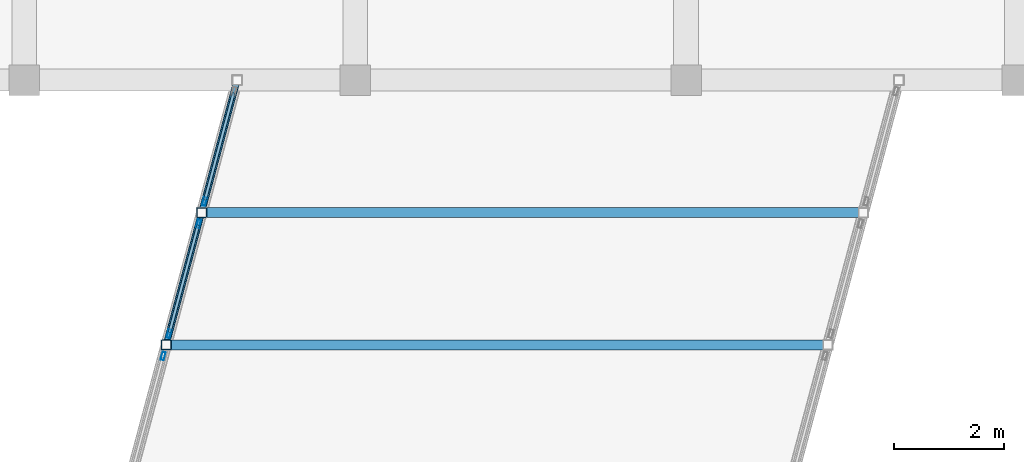
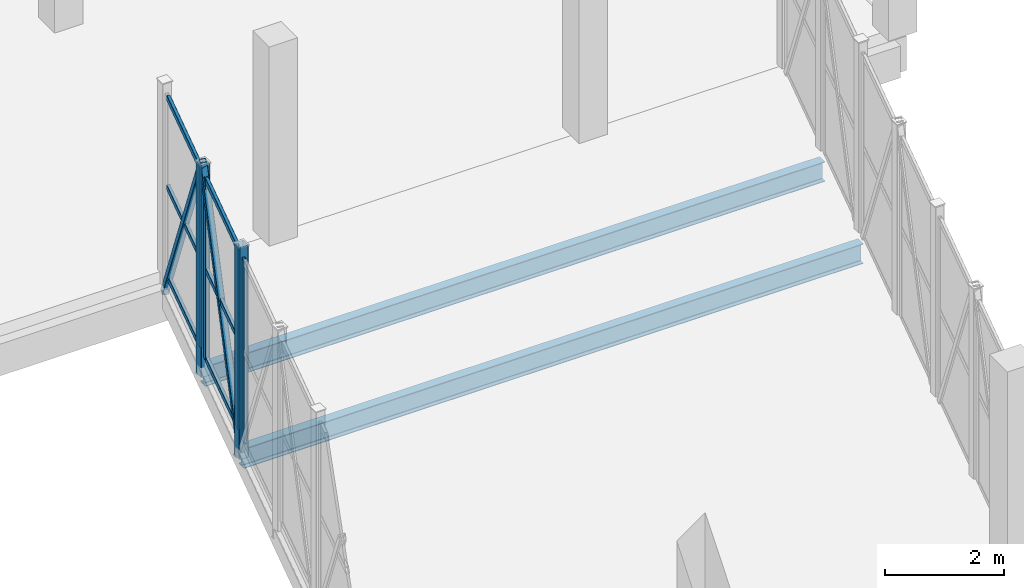
# One storey, part 88 of 127: 14 members, 2 beams, 3 elements without a shape of their own.
"""IFC4 building model written with IfcOpenShell, lengths in metres."""

from ifc_helpers import new_model, si_unit, direction, frame, origin, origin_2d, place, context, subcontext, project, spatial, hollow_rectangle, i_section, extrude, material, layer, layer_set, material_profile, profile_set, type_object, element, aggregate, save


model = new_model("IFC4")

# Units and contexts
model_context = context("Model", 3, precision=1e-05, world=origin(), true_north=direction((0.0, 1.0)))
body_context = subcontext(model_context, "Body", "Model", "MODEL_VIEW")
ifc_project = project(units=[si_unit("LENGTHUNIT", "METRE"), si_unit("AREAUNIT", "SQUARE_METRE"), si_unit("VOLUMEUNIT", "CUBIC_METRE"), si_unit("PLANEANGLEUNIT", "RADIAN"), si_unit("MASSUNIT", "GRAM", prefix="KILO")], contexts=[model_context])

# Site, building, storey
site_placement = place(None, origin())
site = spatial("IfcSite", under=ifc_project, at=site_placement, CompositionType="ELEMENT")
building_placement = place(site_placement, origin())
building = spatial("IfcBuilding", under=site, at=building_placement, Name="Dunvalen Ferry Terminal", CompositionType="ELEMENT")
storey_placement = place(building_placement, frame((0.0, 0.0, 5.760009765625)))
storey = spatial("IfcBuildingStorey", under=building, at=storey_placement, Name="L01", CompositionType="ELEMENT", Elevation=5.760009765625)

# Curtain wall, member
ifc_material_1 = material(Name="Anodised marine aluminium and solar-control glazing", Category="aluminium")
ifc_layer = layer(ifc_material_1, 0.159912109375, Name="Anodised marine aluminium and solar-control glazing")
ifc_layer_set = layer_set([ifc_layer], Name="Anodised marine aluminium and solar-control glazing")
curtain_wall_type = type_object("IfcCurtainWallType", Name="ENV-CW-SYS-07", PredefinedType="NOTDEFINED", material=ifc_layer_set)
curtain_wall_1_placement = place(storey_placement, origin())
curtain_wall_1 = element("IfcCurtainWall", 1, at=curtain_wall_1_placement, inside=storey, type_object=curtain_wall_type, Name="L01 Curtain Wall CW-BRG2-S1-4", PredefinedType="NOTDEFINED")
ifc_material_2 = material(Name="Anodised marine aluminium EN AW-6063 T6", Category="aluminium")
ifc_material_profile_1 = material_profile(ifc_material_2, hollow_rectangle(XDim=0.06005859375, YDim=0.14990234375, WallThickness=0.00341796875, InnerFilletRadius=0.00341796875, OuterFilletRadius=0.007080078125, at=origin_2d()), Name="Anodised marine aluminium EN AW-6063 T6")
ifc_profile_set_1 = profile_set([ifc_material_profile_1], Name="Anodised marine aluminium EN AW-6063 T6")
member_type_1 = type_object("IfcMemberType", Name="ENV-CW-MUL-3", PredefinedType="MULLION", material=ifc_profile_set_1)
member_1_placement = place(storey_placement, frame((128.518310546875, 95.79833984375, 0.0), z_axis=(0.0, 0.0, 1.0), x_axis=(-0.965934620531, 0.258786222315, 0.0)))
member_1 = element("IfcMember", 2, at=member_1_placement, type_object=member_type_1, Name="CW-07 mullion 2", PredefinedType="MULLION", context=body_context, shape_type="SweptSolid", body=[
    extrude(hollow_rectangle(XDim=0.06005859375, YDim=0.14990234375, WallThickness=0.00341796875, InnerFilletRadius=0.00341796875, OuterFilletRadius=0.007080078125, at=origin_2d()), origin(), (0.0, 0.0, 1.0), 3.719970703125),
])
aggregate(curtain_wall_1, [member_1])

# Curtain wall, members
curtain_wall_2_placement = place(storey_placement, origin())
curtain_wall_2 = element("IfcCurtainWall", 3, at=curtain_wall_2_placement, inside=storey, type_object=curtain_wall_type, Name="L01 Curtain Wall CW-BRG2-S1-5", PredefinedType="NOTDEFINED")
member_2_placement = place(storey_placement, frame((128.62646484375, 96.20166015625, 0.0), z_axis=(0.0, 0.0, 1.0), x_axis=(-0.9659228666, 0.258830090561, 0.0)))
member_2 = element("IfcMember", 4, at=member_2_placement, type_object=member_type_1, Name="CW-07 mullion 1", PredefinedType="MULLION", context=body_context, shape_type="SweptSolid", body=[
    extrude(hollow_rectangle(XDim=0.06005859375, YDim=0.14990234375, WallThickness=0.00341796875, InnerFilletRadius=0.00341796875, OuterFilletRadius=0.007080078125, at=origin_2d()), origin(), (0.0, 0.0, 1.0), 3.719970703125),
])
member_3_placement = place(storey_placement, frame((129.161376953125, 98.1982421875, 0.0), z_axis=(0.0, 0.0, 1.0), x_axis=(-0.9659228666, 0.258830090561, 0.0)))
member_3 = element("IfcMember", 5, at=member_3_placement, type_object=member_type_1, Name="CW-07 mullion 2", PredefinedType="MULLION", context=body_context, shape_type="SweptSolid", body=[
    extrude(hollow_rectangle(XDim=0.06005859375, YDim=0.14990234375, WallThickness=0.00341796875, InnerFilletRadius=0.00341796875, OuterFilletRadius=0.007080078125, at=origin_2d()), origin(), (0.0, 0.0, 1.0), 3.719970703125),
])

# Curtain wall, member
curtain_wall_3_placement = place(storey_placement, origin())
curtain_wall_3 = element("IfcCurtainWall", 6, at=curtain_wall_3_placement, inside=storey, type_object=curtain_wall_type, Name="L01 Curtain Wall CW-BRG2-S1-6", PredefinedType="NOTDEFINED")
member_4_placement = place(storey_placement, frame((129.26953125, 98.601806640625, 0.0), z_axis=(0.0, 0.0, 1.0), x_axis=(-0.9659228666, 0.258830090561, 0.0)))
member_4 = element("IfcMember", 7, at=member_4_placement, type_object=member_type_1, Name="CW-07 mullion 1", PredefinedType="MULLION", context=body_context, shape_type="SweptSolid", body=[
    extrude(hollow_rectangle(XDim=0.06005859375, YDim=0.14990234375, WallThickness=0.00341796875, InnerFilletRadius=0.00341796875, OuterFilletRadius=0.007080078125, at=origin_2d()), origin(), (0.0, 0.0, 1.0), 3.719970703125),
])

# Member
ifc_material_profile_2 = material_profile(ifc_material_2, hollow_rectangle(XDim=0.06005859375, YDim=0.114990234375, WallThickness=0.0029296875, InnerFilletRadius=0.0029296875, OuterFilletRadius=0.006103515625, at=origin_2d()), Name="Anodised marine aluminium EN AW-6063 T6")
ifc_profile_set_2 = profile_set([ifc_material_profile_2], Name="Anodised marine aluminium EN AW-6063 T6")
member_type_2 = type_object("IfcMemberType", Name="ENV-CW-TRN-3", PredefinedType="USERDEFINED", material=ifc_profile_set_2)
member_5_placement = place(storey_placement, frame((128.634033203125, 96.230712890625, 0.030029296875), z_axis=(0.258873913014, 0.965911122806, 0.0), x_axis=(-0.965911122806, 0.258873913014, 0.0)))
member_5 = element("IfcMember", 8, at=member_5_placement, type_object=member_type_2, Name="CW-07 transom 1.1", ObjectType="TRANSOM", PredefinedType="USERDEFINED", context=body_context, shape_type="SweptSolid", body=[
    extrude(hollow_rectangle(XDim=0.06005859375, YDim=0.114990234375, WallThickness=0.0029296875, InnerFilletRadius=0.0029296875, OuterFilletRadius=0.006103515625, at=origin_2d()), origin(), (0.0, 0.0, 1.0), 2.0068359375),
])

member_6_placement = place(storey_placement, frame((128.634033203125, 96.230712890625, 1.860107421875), z_axis=(0.258873913014, 0.965911122806, 0.0), x_axis=(-0.965911122806, 0.258873913014, 0.0)))
member_6 = element("IfcMember", 9, at=member_6_placement, type_object=member_type_2, Name="CW-07 transom 1.2", ObjectType="TRANSOM", PredefinedType="USERDEFINED", context=body_context, shape_type="SweptSolid", body=[
    extrude(hollow_rectangle(XDim=0.06005859375, YDim=0.114990234375, WallThickness=0.0029296875, InnerFilletRadius=0.0029296875, OuterFilletRadius=0.006103515625, at=origin_2d()), origin(), (0.0, 0.0, 1.0), 2.0068359375),
])

member_7_placement = place(storey_placement, frame((128.634033203125, 96.230712890625, 3.68994140625), z_axis=(0.258873913014, 0.965911122806, 0.0), x_axis=(-0.965911122806, 0.258873913014, 0.0)))
member_7 = element("IfcMember", 10, at=member_7_placement, type_object=member_type_2, Name="CW-07 transom 1.3", ObjectType="TRANSOM", PredefinedType="USERDEFINED", context=body_context, shape_type="SweptSolid", body=[
    extrude(hollow_rectangle(XDim=0.06005859375, YDim=0.114990234375, WallThickness=0.0029296875, InnerFilletRadius=0.0029296875, OuterFilletRadius=0.006103515625, at=origin_2d()), origin(), (0.0, 0.0, 1.0), 2.0068359375),
])

aggregate(curtain_wall_2, [member_2, member_3, member_5, member_6, member_7])

member_8_placement = place(storey_placement, frame((129.27734375, 98.630859375, 0.030029296875), z_axis=(0.258760408924, 0.965941535898, 0.0), x_axis=(-0.965941535898, 0.258760408924, 0.0)))
member_8 = element("IfcMember", 11, at=member_8_placement, type_object=member_type_2, Name="CW-07 transom 1.1", ObjectType="TRANSOM", PredefinedType="USERDEFINED", context=body_context, shape_type="SweptSolid", body=[
    extrude(hollow_rectangle(XDim=0.06005859375, YDim=0.114990234375, WallThickness=0.0029296875, InnerFilletRadius=0.0029296875, OuterFilletRadius=0.006103515625, at=origin_2d()), origin(), (0.0, 0.0, 1.0), 2.0068359375),
])

member_9_placement = place(storey_placement, frame((129.27734375, 98.630859375, 1.860107421875), z_axis=(0.258760408924, 0.965941535898, 0.0), x_axis=(-0.965941535898, 0.258760408924, 0.0)))
member_9 = element("IfcMember", 12, at=member_9_placement, type_object=member_type_2, Name="CW-07 transom 1.2", ObjectType="TRANSOM", PredefinedType="USERDEFINED", context=body_context, shape_type="SweptSolid", body=[
    extrude(hollow_rectangle(XDim=0.06005859375, YDim=0.114990234375, WallThickness=0.0029296875, InnerFilletRadius=0.0029296875, OuterFilletRadius=0.006103515625, at=origin_2d()), origin(), (0.0, 0.0, 1.0), 2.0068359375),
])

member_10_placement = place(storey_placement, frame((129.27734375, 98.630859375, 3.68994140625), z_axis=(0.258760408924, 0.965941535898, 0.0), x_axis=(-0.965941535898, 0.258760408924, 0.0)))
member_10 = element("IfcMember", 13, at=member_10_placement, type_object=member_type_2, Name="CW-07 transom 1.3", ObjectType="TRANSOM", PredefinedType="USERDEFINED", context=body_context, shape_type="SweptSolid", body=[
    extrude(hollow_rectangle(XDim=0.06005859375, YDim=0.114990234375, WallThickness=0.0029296875, InnerFilletRadius=0.0029296875, OuterFilletRadius=0.006103515625, at=origin_2d()), origin(), (0.0, 0.0, 1.0), 2.0068359375),
])

aggregate(curtain_wall_3, [member_4, member_8, member_9, member_10])

# Beams
ifc_material_3 = material(Name="Steel S355", Category="steel")
ifc_material_profile_3 = material_profile(ifc_material_3, i_section(OverallWidth=0.177978515625, OverallDepth=0.406494140625, WebThickness=0.0078125, FlangeThickness=0.0126953125, FilletRadius=0.01025390625, at=origin_2d()), Name="Steel S355")
ifc_profile_set_3 = profile_set([ifc_material_profile_3], Name="Steel S355")
beam_type = type_object("IfcBeamType", Name="STR-BM-UKB406", PredefinedType="JOIST", material=ifc_profile_set_3)
for number, where, z_axis, x_axis, name in (
    (14, (128.572265625, 96.0, -0.449951171875), (1.0, 0.0, 0.0), (0.0, 1.0, 0.0), "Boarding Bridge 2 Floor Crossbeam 4"),
    (15, (129.21533203125, 98.39990234375, -0.449951171875), (1.0, 0.0, 0.0), (0.0, 1.0, 0.0), "Boarding Bridge 2 Floor Crossbeam 5"),
):
    element("IfcBeam", number, at=place(storey_placement, frame(where, z_axis=z_axis, x_axis=x_axis)), inside=storey, type_object=beam_type, Name=name, PredefinedType="JOIST", context=body_context, shape_type="SweptSolid", body=[
        extrude(i_section(OverallWidth=0.177978515625, OverallDepth=0.406494140625, WebThickness=0.0078125, FlangeThickness=0.0126953125, FilletRadius=0.01025390625, at=origin_2d()), origin(), (0.0, 0.0, 1.0), 12.0),
    ])

# Members
ifc_material_profile_4 = material_profile(ifc_material_3, hollow_rectangle(XDim=0.1201171875, YDim=0.1201171875, WallThickness=0.00634765625, InnerFilletRadius=0.00634765625, OuterFilletRadius=0.0126953125, at=origin_2d()), Name="Steel S355")
ifc_profile_set_4 = profile_set([ifc_material_profile_4], Name="Steel S355")
member_type_3 = type_object("IfcMemberType", Name="STR-MB-SHS120", PredefinedType="BRACE", material=ifc_profile_set_4)
for number, where, z_axis, x_axis, name in (
    (16, (128.572265625, 96.0, -0.43994140625), (0.128594483559, 0.479910316395, 0.867841890563), (-0.965924366126, 0.258824494443, 0.0), "Boarding Bridge 2 Warren Diagonal 1.5"),
    (17, (129.21533203125, 98.39990234375, 3.89990234375), (0.128591470582, 0.47994789191, -0.867821556972), (-0.965930947833, 0.258799930484, 0.0), "Boarding Bridge 2 Warren Diagonal 1.6"),
):
    element("IfcMember", number, at=place(storey_placement, frame(where, z_axis=z_axis, x_axis=x_axis)), inside=storey, type_object=member_type_3, Name=name, PredefinedType="BRACE", context=body_context, shape_type="SweptSolid", body=[
        extrude(hollow_rectangle(XDim=0.1201171875, YDim=0.1201171875, WallThickness=0.00634765625, InnerFilletRadius=0.00634765625, OuterFilletRadius=0.0126953125, at=origin_2d()), origin(), (0.0, 0.0, 1.0), 5.000732421875),
    ])
ifc_material_profile_5 = material_profile(ifc_material_3, hollow_rectangle(XDim=0.179931640625, YDim=0.179931640625, WallThickness=0.008056640625, InnerFilletRadius=0.008056640625, OuterFilletRadius=0.01611328125, at=origin_2d()), Name="Steel S355")
ifc_profile_set_5 = profile_set([ifc_material_profile_5], Name="Steel S355")
member_type_4 = type_object("IfcMemberType", Name="STR-MB-SHS180", PredefinedType="STRUT", material=ifc_profile_set_5)
for number, where, z_axis, x_axis, name in (
    (18, (128.572265625, 96.0, -0.43994140625), (0.0, 0.0, 1.0), (1.0, 0.0, 0.0), "Boarding Bridge 2 Truss Post 1.4"),
    (19, (129.21533203125, 98.39990234375, -0.43994140625), (0.0, 0.0, 1.0), (1.0, 0.0, 0.0), "Boarding Bridge 2 Truss Post 1.5"),
):
    element("IfcMember", number, at=place(storey_placement, frame(where, z_axis=z_axis, x_axis=x_axis)), inside=storey, type_object=member_type_4, Name=name, PredefinedType="STRUT", context=body_context, shape_type="SweptSolid", body=[
        extrude(hollow_rectangle(XDim=0.179931640625, YDim=0.179931640625, WallThickness=0.008056640625, InnerFilletRadius=0.008056640625, OuterFilletRadius=0.01611328125, at=origin_2d()), origin(), (0.0, 0.0, 1.0), 4.33984375),
    ])

save(model, "model.ifc")
